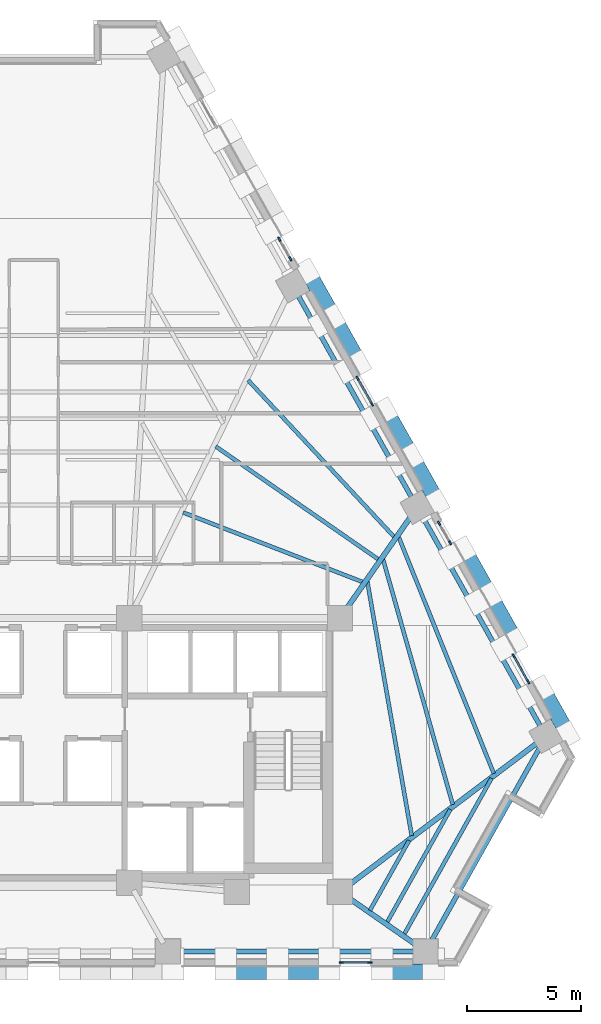
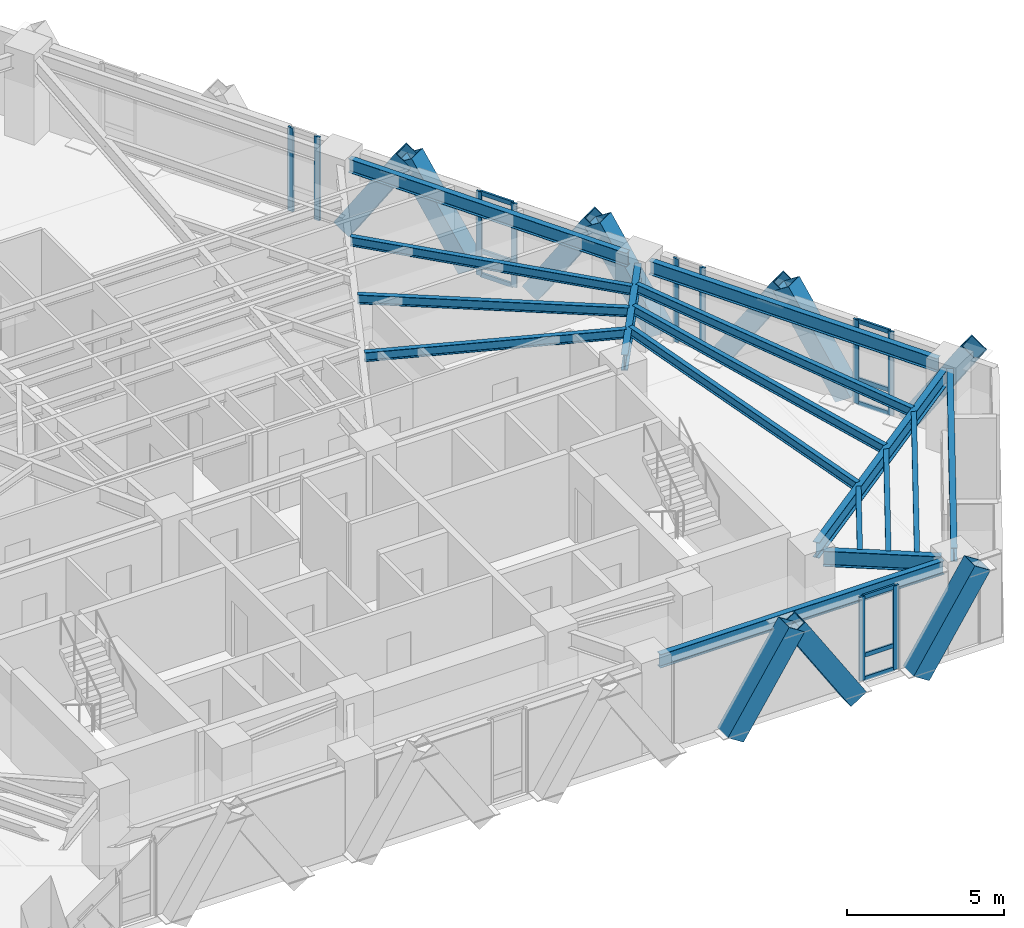
# One storey, part 4 of 13: 29 members, 16 beams, 5 elements without a shape of their own.
"""IFC4 building model written with IfcOpenShell, lengths in metres."""

from ifc_helpers import new_model, si_unit, direction, frame, origin, origin_2d, place, context, subcontext, project, spatial, rectangle, hollow_rectangle, i_section, extrude, material, material_profile, profile_set, type_object, element, aggregate, save


model = new_model("IFC4")

# Units and contexts
model_context = context("Model", 3, precision=1e-05, world=origin(), true_north=direction((0.0, 1.0)))
body_context = subcontext(model_context, "Body", "Model", "MODEL_VIEW")
ifc_project = project(units=[si_unit("LENGTHUNIT", "METRE"), si_unit("AREAUNIT", "SQUARE_METRE"), si_unit("VOLUMEUNIT", "CUBIC_METRE"), si_unit("PLANEANGLEUNIT", "RADIAN"), si_unit("MASSUNIT", "GRAM", prefix="KILO")], contexts=[model_context])

# Site, building, storey
site_placement = place(None, origin())
site = spatial("IfcSite", under=ifc_project, at=site_placement, CompositionType="ELEMENT")
building_placement = place(site_placement, origin())
building = spatial("IfcBuilding", under=site, at=building_placement, Name="Quenlor Broadcast Tower", CompositionType="ELEMENT")
storey_placement = place(building_placement, frame((0.0, 0.0, 116.0)))
storey = spatial("IfcBuildingStorey", under=building, at=storey_placement, Name="L31", CompositionType="ELEMENT", Elevation=116.0)

# Curtain wall, members
ifc_material_1 = material(Name="Architectural Terracotta and Low-E Glazing", Category="masonry")
curtain_wall_type = type_object("IfcCurtainWallType", Name="Unitised Terracotta Curtain Wall System Z2", PredefinedType="NOTDEFINED", material=ifc_material_1)
curtain_wall_1_placement = place(storey_placement, origin())
curtain_wall_1 = element("IfcCurtainWall", 1, at=curtain_wall_1_placement, inside=storey, type_object=curtain_wall_type, Name="L31 Curtain Wall CW2 (L31-SA-G1)", PredefinedType="NOTDEFINED")
ifc_material_2 = material(Name="Aluminium 6063-T6", Category="aluminium")
ifc_material_profile_1 = material_profile(ifc_material_2, rectangle(XDim=0.074951171875, YDim=0.199951171875, at=origin_2d()))
ifc_profile_set_1 = profile_set([ifc_material_profile_1], Name="Aluminium 6063-T6 MULL75x200")
member_type_1 = type_object("IfcMemberType", Name="CW2 Aluminium Mullion MULL_CW2", PredefinedType="MULLION", material=ifc_profile_set_1)
member_1_placement = place(storey_placement, frame((14.254150390625, -19.840087890625, 0.0), z_axis=(0.0, 0.0, 1.0), x_axis=(0.0, -1.0, 0.0)))
member_1 = element("IfcMember", 2, at=member_1_placement, type_object=member_type_1, Name="CW2 mullion 1", PredefinedType="MULLION", context=body_context, shape_type="SweptSolid", body=[
    extrude(rectangle(XDim=0.074951171875, YDim=0.199951171875, at=origin_2d()), origin(), (0.0, 0.0, 1.0), 3.25),
])
member_2_placement = place(storey_placement, frame((13.01611328125, -19.840087890625, 0.0), z_axis=(0.0, 0.0, 1.0), x_axis=(0.0, -1.0, 0.0)))
member_2 = element("IfcMember", 3, at=member_2_placement, type_object=member_type_1, Name="CW2 mullion 2", PredefinedType="MULLION", context=body_context, shape_type="SweptSolid", body=[
    extrude(rectangle(XDim=0.074951171875, YDim=0.199951171875, at=origin_2d()), origin(), (0.0, 0.0, 1.0), 3.25),
])

curtain_wall_2_placement = place(storey_placement, origin())
curtain_wall_2 = element("IfcCurtainWall", 4, at=curtain_wall_2_placement, inside=storey, type_object=curtain_wall_type, Name="L31 Curtain Wall CW2 (L31-NEA-G2)", PredefinedType="NOTDEFINED")
member_3_placement = place(storey_placement, frame((10.306396484375, 11.751220703125, 0.0), z_axis=(0.0, 0.0, 1.0), x_axis=(0.871580587336, 0.490252261371, 0.0)))
member_3 = element("IfcMember", 5, at=member_3_placement, type_object=member_type_1, Name="CW2 mullion 1", PredefinedType="MULLION", context=body_context, shape_type="SweptSolid", body=[
    extrude(rectangle(XDim=0.074951171875, YDim=0.199951171875, at=origin_2d()), origin(), (0.0, 0.0, 1.0), 3.25),
])
member_4_placement = place(storey_placement, frame((10.7880859375, 10.894775390625, 0.0), z_axis=(0.0, 0.0, 1.0), x_axis=(0.871580587336, 0.490252261371, 0.0)))
member_4 = element("IfcMember", 6, at=member_4_placement, type_object=member_type_1, Name="CW2 mullion 2", PredefinedType="MULLION", context=body_context, shape_type="SweptSolid", body=[
    extrude(rectangle(XDim=0.074951171875, YDim=0.199951171875, at=origin_2d()), origin(), (0.0, 0.0, 1.0), 3.25),
])
aggregate(curtain_wall_2, [member_3, member_4])

curtain_wall_3_placement = place(storey_placement, origin())
curtain_wall_3 = element("IfcCurtainWall", 7, at=curtain_wall_3_placement, inside=storey, type_object=curtain_wall_type, Name="L31 Curtain Wall CW2 (L31-NEC-G1)", PredefinedType="NOTDEFINED")
member_5_placement = place(storey_placement, frame((17.282958984375, -0.651611328125, 0.0), z_axis=(0.0, 0.0, 1.0), x_axis=(0.871580587336, 0.490252261371, 0.0)))
member_5 = element("IfcMember", 8, at=member_5_placement, type_object=member_type_1, Name="CW2 mullion 1", PredefinedType="MULLION", context=body_context, shape_type="SweptSolid", body=[
    extrude(rectangle(XDim=0.074951171875, YDim=0.199951171875, at=origin_2d()), origin(), (0.0, 0.0, 1.0), 3.25),
])
member_6_placement = place(storey_placement, frame((17.7646484375, -1.508056640625, 0.0), z_axis=(0.0, 0.0, 1.0), x_axis=(0.871580587336, 0.490252261371, 0.0)))
member_6 = element("IfcMember", 9, at=member_6_placement, type_object=member_type_1, Name="CW2 mullion 2", PredefinedType="MULLION", context=body_context, shape_type="SweptSolid", body=[
    extrude(rectangle(XDim=0.074951171875, YDim=0.199951171875, at=origin_2d()), origin(), (0.0, 0.0, 1.0), 3.25),
])
aggregate(curtain_wall_3, [member_5, member_6])

curtain_wall_4_placement = place(storey_placement, origin())
curtain_wall_4 = element("IfcCurtainWall", 10, at=curtain_wall_4_placement, inside=storey, type_object=curtain_wall_type, Name="L31 Curtain Wall CW2 (L31-NEC-G2)", PredefinedType="NOTDEFINED")
member_7_placement = place(storey_placement, frame((20.545654296875, -6.451904296875, 0.0), z_axis=(0.0, 0.0, 1.0), x_axis=(0.871565749621, 0.490278639232, 0.0)))
member_7 = element("IfcMember", 11, at=member_7_placement, type_object=member_type_1, Name="CW2 mullion 1", PredefinedType="MULLION", context=body_context, shape_type="SweptSolid", body=[
    extrude(rectangle(XDim=0.074951171875, YDim=0.199951171875, at=origin_2d()), origin(), (0.0, 0.0, 1.0), 3.25),
])
member_8_placement = place(storey_placement, frame((21.177734375, -7.57568359375, 0.0), z_axis=(0.0, 0.0, 1.0), x_axis=(0.871565749621, 0.490278639232, 0.0)))
member_8 = element("IfcMember", 12, at=member_8_placement, type_object=member_type_1, Name="CW2 mullion 2", PredefinedType="MULLION", context=body_context, shape_type="SweptSolid", body=[
    extrude(rectangle(XDim=0.074951171875, YDim=0.199951171875, at=origin_2d()), origin(), (0.0, 0.0, 1.0), 3.25),
])

curtain_wall_5_placement = place(storey_placement, origin())
curtain_wall_5 = element("IfcCurtainWall", 13, at=curtain_wall_5_placement, inside=storey, type_object=curtain_wall_type, Name="L31 Curtain Wall CW2 (L31-NE-G1)", PredefinedType="NOTDEFINED")
member_9_placement = place(storey_placement, frame((13.719482421875, 5.683349609375, 0.0), z_axis=(0.0, 0.0, 1.0), x_axis=(0.871579452423, 0.490254279037, 0.0)))
member_9 = element("IfcMember", 14, at=member_9_placement, type_object=member_type_1, Name="CW2 mullion 1", PredefinedType="MULLION", context=body_context, shape_type="SweptSolid", body=[
    extrude(rectangle(XDim=0.074951171875, YDim=0.199951171875, at=origin_2d()), origin(), (0.0, 0.0, 1.0), 3.25),
])
member_10_placement = place(storey_placement, frame((14.3515625, 4.559814453125, 0.0), z_axis=(0.0, 0.0, 1.0), x_axis=(0.871579452423, 0.490254279037, 0.0)))
member_10 = element("IfcMember", 15, at=member_10_placement, type_object=member_type_1, Name="CW2 mullion 2", PredefinedType="MULLION", context=body_context, shape_type="SweptSolid", body=[
    extrude(rectangle(XDim=0.074951171875, YDim=0.199951171875, at=origin_2d()), origin(), (0.0, 0.0, 1.0), 3.25),
])

# Member
ifc_material_3 = material(Name="Aluminium 6063-T6", Category="aluminium")
ifc_material_profile_2 = material_profile(ifc_material_3, rectangle(XDim=0.074951171875, YDim=0.1650390625, at=origin_2d()))
ifc_profile_set_2 = profile_set([ifc_material_profile_2], Name="Aluminium 6063-T6 TRAN75x165")
member_type_2 = type_object("IfcMemberType", Name="CW2 Aluminium Transom TRAN_CW2", PredefinedType="USERDEFINED", material=ifc_profile_set_2)
member_11_placement = place(storey_placement, frame((14.216796875, -19.840087890625, 0.03759765625), z_axis=(-1.0, 0.0, 0.0), x_axis=(0.0, -1.0, 0.0)))
member_11 = element("IfcMember", 16, at=member_11_placement, type_object=member_type_2, Name="CW2 transom 1.1", ObjectType="TRANSOM", PredefinedType="USERDEFINED", context=body_context, shape_type="SweptSolid", body=[
    extrude(rectangle(XDim=0.074951171875, YDim=0.1650390625, at=origin_2d()), origin(), (0.0, 0.0, 1.0), 1.1630859375),
])

member_12_placement = place(storey_placement, frame((14.216796875, -19.840087890625, 0.949951171875), z_axis=(-1.0, 0.0, 0.0), x_axis=(0.0, -1.0, 0.0)))
member_12 = element("IfcMember", 17, at=member_12_placement, type_object=member_type_2, Name="CW2 transom 1.2", ObjectType="TRANSOM", PredefinedType="USERDEFINED", context=body_context, shape_type="SweptSolid", body=[
    extrude(rectangle(XDim=0.074951171875, YDim=0.1650390625, at=origin_2d()), origin(), (0.0, 0.0, 1.0), 1.1630859375),
])

member_13_placement = place(storey_placement, frame((14.216796875, -19.840087890625, 3.21240234375), z_axis=(-1.0, 0.0, 0.0), x_axis=(0.0, -1.0, 0.0)))
member_13 = element("IfcMember", 18, at=member_13_placement, type_object=member_type_2, Name="CW2 transom 1.3", ObjectType="TRANSOM", PredefinedType="USERDEFINED", context=body_context, shape_type="SweptSolid", body=[
    extrude(rectangle(XDim=0.074951171875, YDim=0.1650390625, at=origin_2d()), origin(), (0.0, 0.0, 1.0), 1.1630859375),
])

aggregate(curtain_wall_1, [member_1, member_2, member_11, member_12, member_13])

member_14_placement = place(storey_placement, frame((20.56396484375, -6.484619140625, 0.03759765625), z_axis=(0.490347143438, -0.871527210661, 0.0), x_axis=(0.871527210661, 0.490347143438, 0.0)))
member_14 = element("IfcMember", 19, at=member_14_placement, type_object=member_type_2, Name="CW2 transom 1.1", ObjectType="TRANSOM", PredefinedType="USERDEFINED", context=body_context, shape_type="SweptSolid", body=[
    extrude(rectangle(XDim=0.074951171875, YDim=0.1650390625, at=origin_2d()), origin(), (0.0, 0.0, 1.0), 1.21435546875),
])

member_15_placement = place(storey_placement, frame((20.56396484375, -6.484619140625, 0.949951171875), z_axis=(0.490347143438, -0.871527210661, 0.0), x_axis=(0.871527210661, 0.490347143438, 0.0)))
member_15 = element("IfcMember", 20, at=member_15_placement, type_object=member_type_2, Name="CW2 transom 1.2", ObjectType="TRANSOM", PredefinedType="USERDEFINED", context=body_context, shape_type="SweptSolid", body=[
    extrude(rectangle(XDim=0.074951171875, YDim=0.1650390625, at=origin_2d()), origin(), (0.0, 0.0, 1.0), 1.21435546875),
])

member_16_placement = place(storey_placement, frame((20.56396484375, -6.484619140625, 3.21240234375), z_axis=(0.490347143438, -0.871527210661, 0.0), x_axis=(0.871527210661, 0.490347143438, 0.0)))
member_16 = element("IfcMember", 21, at=member_16_placement, type_object=member_type_2, Name="CW2 transom 1.3", ObjectType="TRANSOM", PredefinedType="USERDEFINED", context=body_context, shape_type="SweptSolid", body=[
    extrude(rectangle(XDim=0.074951171875, YDim=0.1650390625, at=origin_2d()), origin(), (0.0, 0.0, 1.0), 1.21435546875),
])

aggregate(curtain_wall_4, [member_7, member_8, member_14, member_15, member_16])

member_17_placement = place(storey_placement, frame((13.73779296875, 5.650634765625, 0.03759765625), z_axis=(0.490433072585, -0.871478858788, 0.0), x_axis=(0.871478858788, 0.490433072585, 0.0)))
member_17 = element("IfcMember", 22, at=member_17_placement, type_object=member_type_2, Name="CW2 transom 1.1", ObjectType="TRANSOM", PredefinedType="USERDEFINED", context=body_context, shape_type="SweptSolid", body=[
    extrude(rectangle(XDim=0.074951171875, YDim=0.1650390625, at=origin_2d()), origin(), (0.0, 0.0, 1.0), 1.214111328125),
])

member_18_placement = place(storey_placement, frame((13.73779296875, 5.650634765625, 0.949951171875), z_axis=(0.490433072585, -0.871478858788, 0.0), x_axis=(0.871478858788, 0.490433072585, 0.0)))
member_18 = element("IfcMember", 23, at=member_18_placement, type_object=member_type_2, Name="CW2 transom 1.2", ObjectType="TRANSOM", PredefinedType="USERDEFINED", context=body_context, shape_type="SweptSolid", body=[
    extrude(rectangle(XDim=0.074951171875, YDim=0.1650390625, at=origin_2d()), origin(), (0.0, 0.0, 1.0), 1.214111328125),
])

member_19_placement = place(storey_placement, frame((13.73779296875, 5.650634765625, 3.21240234375), z_axis=(0.490433072585, -0.871478858788, 0.0), x_axis=(0.871478858788, 0.490433072585, 0.0)))
member_19 = element("IfcMember", 24, at=member_19_placement, type_object=member_type_2, Name="CW2 transom 1.3", ObjectType="TRANSOM", PredefinedType="USERDEFINED", context=body_context, shape_type="SweptSolid", body=[
    extrude(rectangle(XDim=0.074951171875, YDim=0.1650390625, at=origin_2d()), origin(), (0.0, 0.0, 1.0), 1.214111328125),
])

aggregate(curtain_wall_5, [member_9, member_10, member_17, member_18, member_19])

# Members
ifc_material_4 = material(Name="Steel S355", Category="steel")
ifc_material_profile_3 = material_profile(ifc_material_4, hollow_rectangle(XDim=0.679931640625, YDim=0.679931640625, WallThickness=0.030029296875, at=origin_2d()))
ifc_profile_set_3 = profile_set([ifc_material_profile_3], Name="Steel S355 RHS680x680x30")
member_type_3 = type_object("IfcMemberType", Name="Perimeter Diagonal Lattice Brace Z2 Steel S355 RHS680x30", PredefinedType="BRACE", material=ifc_profile_set_3)
for number, where, z_axis, x_axis, name in (
    (25, (12.4853515625, -20.235107421875, -0.1201171875), (-0.539968035679, 0.0, 0.841685523485), (0.0, -1.0, 0.0), "L31 Perimeter Diamond Lattice S-C1S"),
    (26, (14.78515625, -20.235107421875, -0.1201171875), (0.539968035679, 0.0, 0.841685523485), (0.0, 1.0, 0.0), "L31 Perimeter Diamond Lattice S-C1B"),
    (27, (7.967529296875, -20.235107421875, -0.1201171875), (0.539968035679, 0.0, 0.841685523485), (0.0, 1.0, 0.0), "L31 Perimeter Diamond Lattice S-C2B"),
):
    element("IfcMember", number, at=place(storey_placement, frame(where, z_axis=z_axis, x_axis=x_axis)), inside=storey, type_object=member_type_3, Name=name, PredefinedType="BRACE", context=body_context, shape_type="SweptSolid", body=[
        extrude(hollow_rectangle(XDim=0.679931640625, YDim=0.679931640625, WallThickness=0.030029296875, at=origin_2d()), origin(), (0.0, 0.0, 1.0), 4.158203125),
    ])
member_20_placement = place(storey_placement, frame((11.54248046875, 10.359619140625, -0.1201171875), z_axis=(0.268634887212, -0.477637964099, 0.83647909276), x_axis=(0.871603971106, 0.490210686901, 0.0)))
element("IfcMember", 28, at=member_20_placement, inside=storey, type_object=member_type_3, Name="L31 Perimeter Diamond Lattice NE-C2S", PredefinedType="BRACE", context=body_context, shape_type="SweptSolid", body=[
    extrude(hollow_rectangle(XDim=0.679931640625, YDim=0.679931640625, WallThickness=0.030029296875, at=origin_2d()), origin(), (0.0, 0.0, 1.0), 4.184326171875),
])
for number, where, z_axis, x_axis, name in (
    (29, (14.955322265625, 4.291748046875, -0.1201171875), (0.268696511206, -0.477585438485, 0.836489290913), (0.871532878923, 0.490337068716, 0.0), "L31 Perimeter Diamond Lattice NE-C3S"),
    (30, (13.80419921875, 6.338623046875, -0.1201171875), (-0.268642373731, 0.477592925498, 0.83650240439), (-0.871578380919, -0.490256183964, 0.0), "L31 Perimeter Diamond Lattice NE-C3B"),
    (31, (18.368408203125, -1.77587890625, -0.1201171875), (0.268696511206, -0.477585438485, 0.836489290913), (0.871532878923, 0.490337068716, 0.0), "L31 Perimeter Diamond Lattice NE-C4S"),
    (32, (17.21728515625, 0.27099609375, -0.1201171875), (-0.268696511206, 0.477585438485, 0.836489290913), (-0.871532878923, -0.490337068716, 0.0), "L31 Perimeter Diamond Lattice NE-C4B"),
    (33, (21.781494140625, -7.843505859375, -0.1201171875), (0.268696511206, -0.477585438485, 0.836489290913), (0.871532878923, 0.490337068716, 0.0), "L31 Perimeter Diamond Lattice NE-C5S"),
    (34, (20.63037109375, -5.796630859375, -0.1201171875), (-0.268696511206, 0.477585438485, 0.836489290913), (-0.871532878923, -0.490337068716, 0.0), "L31 Perimeter Diamond Lattice NE-C5B"),
):
    element("IfcMember", number, at=place(storey_placement, frame(where, z_axis=z_axis, x_axis=x_axis)), inside=storey, type_object=member_type_3, Name=name, PredefinedType="BRACE", context=body_context, shape_type="SweptSolid", body=[
        extrude(hollow_rectangle(XDim=0.679931640625, YDim=0.679931640625, WallThickness=0.030029296875, at=origin_2d()), origin(), (0.0, 0.0, 1.0), 4.18408203125),
    ])

# Beams
ifc_material_5 = material(Name="Steel S355", Category="steel")
ifc_material_profile_4 = material_profile(ifc_material_5, i_section(OverallWidth=0.208984375, OverallDepth=0.5283203125, WebThickness=0.009521484375, FlangeThickness=0.01318359375, FilletRadius=0.013916015625, at=origin_2d()))
ifc_profile_set_4 = profile_set([ifc_material_profile_4], Name="Steel S355 530UB82.0")
beam_type_1 = type_object("IfcBeamType", Name="Perimeter Spandrel Beam Z2 Steel S355 530UB82.0", PredefinedType="SPANDREL", material=ifc_profile_set_4)
beam_1_placement = place(storey_placement, frame((5.853271484375, -19.35009765625, 2.98583984375), z_axis=(1.0, 0.0, 0.0), x_axis=(0.0, 1.0, 0.0)))
element("IfcBeam", 35, at=beam_1_placement, inside=storey, type_object=beam_type_1, Name="L31 Spandrel Beam S3-S4", PredefinedType="SPANDREL", context=body_context, shape_type="SweptSolid", body=[
    extrude(i_section(OverallWidth=0.208984375, OverallDepth=0.5283203125, WebThickness=0.009521484375, FlangeThickness=0.01318359375, FilletRadius=0.013916015625, at=origin_2d()), origin(), (0.0, 0.0, 1.0), 10.42919921875),
])
beam_2_placement = place(storey_placement, frame((16.892822265625, -18.9921875, 2.98583984375), z_axis=(0.488749102779, 0.872424389006, 0.0), x_axis=(-0.872424389006, 0.488749102779, 0.0)))
element("IfcBeam", 36, at=beam_2_placement, inside=storey, type_object=beam_type_1, Name="L31 Spandrel Beam S4-NE1", PredefinedType="SPANDREL", context=body_context, shape_type="SweptSolid", body=[
    extrude(i_section(OverallWidth=0.208984375, OverallDepth=0.5283203125, WebThickness=0.009521484375, FlangeThickness=0.01318359375, FilletRadius=0.013916015625, at=origin_2d()), origin(), (0.0, 0.0, 1.0), 9.947021484375),
])
beam_3_placement = place(storey_placement, frame((21.753662109375, -9.59912109375, 2.98583984375), z_axis=(-0.490263415828, 0.871574313011, 0.0), x_axis=(-0.871574313011, -0.490263415828, 0.0)))
element("IfcBeam", 37, at=beam_3_placement, inside=storey, type_object=beam_type_1, Name="L31 Spandrel Beam NE1-NE2", PredefinedType="SPANDREL", context=body_context, shape_type="SweptSolid", body=[
    extrude(i_section(OverallWidth=0.208984375, OverallDepth=0.5283203125, WebThickness=0.009521484375, FlangeThickness=0.01318359375, FilletRadius=0.013916015625, at=origin_2d()), origin(), (0.0, 0.0, 1.0), 10.65283203125),
])
beam_4_placement = place(storey_placement, frame((16.129150390625, 0.400146484375, 2.98583984375), z_axis=(-0.49026462139, 0.871573634878, 0.0), x_axis=(-0.871573634878, -0.49026462139, 0.0)))
element("IfcBeam", 38, at=beam_4_placement, inside=storey, type_object=beam_type_1, Name="L31 Spandrel Beam NE2-NE3", PredefinedType="SPANDREL", context=body_context, shape_type="SweptSolid", body=[
    extrude(i_section(OverallWidth=0.208984375, OverallDepth=0.5283203125, WebThickness=0.009521484375, FlangeThickness=0.01318359375, FilletRadius=0.013916015625, at=origin_2d()), origin(), (0.0, 0.0, 1.0), 10.28271484375),
])
ifc_material_6 = material(Name="Steel S355", Category="steel")
ifc_material_profile_5 = material_profile(ifc_material_6, i_section(OverallWidth=0.172119140625, OverallDepth=0.358642578125, WebThickness=0.008056640625, FlangeThickness=0.012939453125, FilletRadius=0.011474609375, at=origin_2d()))
ifc_profile_set_5 = profile_set([ifc_material_profile_5], Name="Steel S355 360UB56.7")
beam_type_2 = type_object("IfcBeamType", Name="Tower Composite Joist Z2-Z3 Steel S355 360UB56.7", PredefinedType="JOIST", material=ifc_profile_set_5)
beam_5_placement = place(storey_placement, frame((13.95703125, -3.221435546875, 3.07080078125), z_axis=(-0.932542579586, 0.361060018916, 0.0), x_axis=(-0.361060018916, -0.932542579586, 0.0)))
element("IfcBeam", 39, at=beam_5_placement, inside=storey, type_object=beam_type_2, Name="L31 Secondary Composite Joist 10", PredefinedType="JOIST", context=body_context, shape_type="SweptSolid", body=[
    extrude(i_section(OverallWidth=0.172119140625, OverallDepth=0.358642578125, WebThickness=0.008056640625, FlangeThickness=0.012939453125, FilletRadius=0.011474609375, at=origin_2d()), origin(), (0.0, 0.0, 1.0), 8.416259765625),
])
beam_6_placement = place(storey_placement, frame((14.641845703125, -2.236083984375, 3.07080078125), z_axis=(-0.821385737622, 0.570373097219, 0.0), x_axis=(-0.570373097219, -0.821385737622, 0.0)))
element("IfcBeam", 40, at=beam_6_placement, inside=storey, type_object=beam_type_2, Name="L31 Secondary Composite Joist 11", PredefinedType="JOIST", context=body_context, shape_type="SweptSolid", body=[
    extrude(i_section(OverallWidth=0.172119140625, OverallDepth=0.358642578125, WebThickness=0.008056640625, FlangeThickness=0.012939453125, FilletRadius=0.011474609375, at=origin_2d()), origin(), (0.0, 0.0, 1.0), 8.662109375),
])
beam_7_placement = place(storey_placement, frame((15.3291015625, -1.254638671875, 3.07080078125), z_axis=(-0.681880655944, 0.73146344478, 0.0), x_axis=(-0.73146344478, -0.681880655944, 0.0)))
element("IfcBeam", 41, at=beam_7_placement, inside=storey, type_object=beam_type_2, Name="L31 Secondary Composite Joist 12", PredefinedType="JOIST", context=body_context, shape_type="SweptSolid", body=[
    extrude(i_section(OverallWidth=0.172119140625, OverallDepth=0.358642578125, WebThickness=0.008056640625, FlangeThickness=0.012939453125, FilletRadius=0.011474609375, at=origin_2d()), origin(), (0.0, 0.0, 1.0), 9.365234375),
])
beam_8_placement = place(storey_placement, frame((16.087890625, -14.29345703125, 3.07080078125), z_axis=(-0.172120396521, 0.985075920476, 0.0), x_axis=(-0.985075920476, -0.172120396521, 0.0)))
element("IfcBeam", 42, at=beam_8_placement, inside=storey, type_object=beam_type_2, Name="L31 Secondary Composite Joist 16", PredefinedType="JOIST", context=body_context, shape_type="SweptSolid", body=[
    extrude(i_section(OverallWidth=0.172119140625, OverallDepth=0.358642578125, WebThickness=0.008056640625, FlangeThickness=0.012939453125, FilletRadius=0.011474609375, at=origin_2d()), origin(), (0.0, 0.0, 1.0), 11.27783203125),
])
beam_9_placement = place(storey_placement, frame((17.880615234375, -12.9365234375, 3.07080078125), z_axis=(-0.273563993601, 0.96185380459, 0.0), x_axis=(-0.96185380459, -0.273563993601, 0.0)))
element("IfcBeam", 43, at=beam_9_placement, inside=storey, type_object=beam_type_2, Name="L31 Secondary Composite Joist 17", PredefinedType="JOIST", context=body_context, shape_type="SweptSolid", body=[
    extrude(i_section(OverallWidth=0.172119140625, OverallDepth=0.358642578125, WebThickness=0.008056640625, FlangeThickness=0.012939453125, FilletRadius=0.011474609375, at=origin_2d()), origin(), (0.0, 0.0, 1.0), 11.1484375),
])
beam_10_placement = place(storey_placement, frame((19.673583984375, -11.580810546875, 3.07080078125), z_axis=(-0.373180395983, 0.92775880058, 0.0), x_axis=(-0.92775880058, -0.373180395983, 0.0)))
element("IfcBeam", 44, at=beam_10_placement, inside=storey, type_object=beam_type_2, Name="L31 Secondary Composite Joist 18", PredefinedType="JOIST", context=body_context, shape_type="SweptSolid", body=[
    extrude(i_section(OverallWidth=0.172119140625, OverallDepth=0.358642578125, WebThickness=0.008056640625, FlangeThickness=0.012939453125, FilletRadius=0.011474609375, at=origin_2d()), origin(), (0.0, 0.0, 1.0), 11.143798828125),
])
beam_11_placement = place(storey_placement, frame((14.261474609375, -17.564208984375, 3.07080078125), z_axis=(0.488730779643, 0.87243465373, 0.0), x_axis=(-0.87243465373, 0.488730779643, 0.0)))
element("IfcBeam", 45, at=beam_11_placement, inside=storey, type_object=beam_type_2, Name="L31 Secondary Composite Joist 22", PredefinedType="JOIST", context=body_context, shape_type="SweptSolid", body=[
    extrude(i_section(OverallWidth=0.172119140625, OverallDepth=0.358642578125, WebThickness=0.008056640625, FlangeThickness=0.012939453125, FilletRadius=0.011474609375, at=origin_2d()), origin(), (0.0, 0.0, 1.0), 3.500732421875),
])
beam_12_placement = place(storey_placement, frame((15.010009765625, -18.084228515625, 3.07080078125), z_axis=(0.488741419435, 0.87242869332, 0.0), x_axis=(-0.87242869332, 0.488741419435, 0.0)))
element("IfcBeam", 46, at=beam_12_placement, inside=storey, type_object=beam_type_2, Name="L31 Secondary Composite Joist 23", PredefinedType="JOIST", context=body_context, shape_type="SweptSolid", body=[
    extrude(i_section(OverallWidth=0.172119140625, OverallDepth=0.358642578125, WebThickness=0.008056640625, FlangeThickness=0.012939453125, FilletRadius=0.011474609375, at=origin_2d()), origin(), (0.0, 0.0, 1.0), 5.654052734375),
])
beam_13_placement = place(storey_placement, frame((15.758544921875, -18.604248046875, 3.07080078125), z_axis=(0.488732857155, 0.872433489922, 0.0), x_axis=(-0.872433489922, 0.488732857155, 0.0)))
element("IfcBeam", 47, at=beam_13_placement, inside=storey, type_object=beam_type_2, Name="L31 Secondary Composite Joist 24", PredefinedType="JOIST", context=body_context, shape_type="SweptSolid", body=[
    extrude(i_section(OverallWidth=0.172119140625, OverallDepth=0.358642578125, WebThickness=0.008056640625, FlangeThickness=0.012939453125, FilletRadius=0.011474609375, at=origin_2d()), origin(), (0.0, 0.0, 1.0), 7.807861328125),
])
ifc_material_7 = material(Name="Steel S355", Category="steel")
ifc_material_profile_6 = material_profile(ifc_material_7, i_section(OverallWidth=0.22802734375, OverallDepth=0.60205078125, WebThickness=0.010498046875, FlangeThickness=0.014892578125, FilletRadius=0.013916015625, at=origin_2d()))
ifc_profile_set_6 = profile_set([ifc_material_profile_6], Name="Steel S355 610UB101")
beam_type_3 = type_object("IfcBeamType", Name="Tower Primary Floor Beam Z2 Steel S355 610UB101", PredefinedType="BEAM", material=ifc_profile_set_6)
beam_14_placement = place(storey_placement, frame((16.355712890625, -19.1162109375, 2.948974609375), z_axis=(-0.821227395059, 0.570601056436, 0.0), x_axis=(-0.570601056436, -0.821227395059, 0.0)))
element("IfcBeam", 48, at=beam_14_placement, inside=storey, type_object=beam_type_3, Name="L31 Primary Radial Beam S4", PredefinedType="BEAM", context=body_context, shape_type="SweptSolid", body=[
    extrude(i_section(OverallWidth=0.22802734375, OverallDepth=0.60205078125, WebThickness=0.010498046875, FlangeThickness=0.014892578125, FilletRadius=0.013916015625, at=origin_2d()), origin(), (0.0, 0.0, 1.0), 3.766845703125),
])
beam_15_placement = place(storey_placement, frame((21.62744140625, -10.203369140625, 2.948974609375), z_axis=(-0.798298724007, -0.602261693327, 0.0), x_axis=(0.602261693327, -0.798298724007, 0.0)))
element("IfcBeam", 49, at=beam_15_placement, inside=storey, type_object=beam_type_3, Name="L31 Primary Radial Beam NE1", PredefinedType="BEAM", context=body_context, shape_type="SweptSolid", body=[
    extrude(i_section(OverallWidth=0.22802734375, OverallDepth=0.60205078125, WebThickness=0.010498046875, FlangeThickness=0.014892578125, FilletRadius=0.013916015625, at=origin_2d()), origin(), (0.0, 0.0, 1.0), 10.48974609375),
])
beam_16_placement = place(storey_placement, frame((16.095458984375, -0.293212890625, 2.948974609375), z_axis=(-0.572337599985, -0.820018092266, 0.0), x_axis=(0.820018092266, -0.572337599985, 0.0)))
element("IfcBeam", 50, at=beam_16_placement, inside=storey, type_object=beam_type_3, Name="L31 Primary Radial Beam NE2", PredefinedType="BEAM", context=body_context, shape_type="SweptSolid", body=[
    extrude(i_section(OverallWidth=0.22802734375, OverallDepth=0.60205078125, WebThickness=0.010498046875, FlangeThickness=0.014892578125, FilletRadius=0.013916015625, at=origin_2d()), origin(), (0.0, 0.0, 1.0), 5.11572265625),
])

save(model, "model.ifc")
